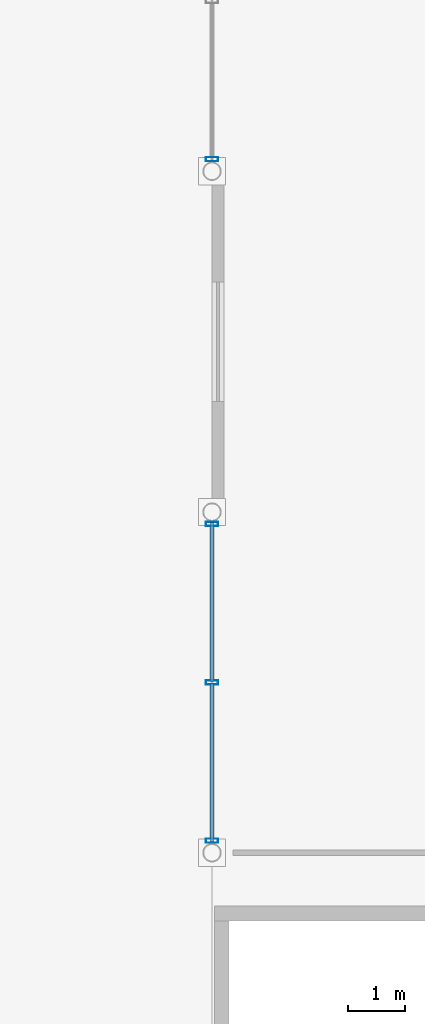
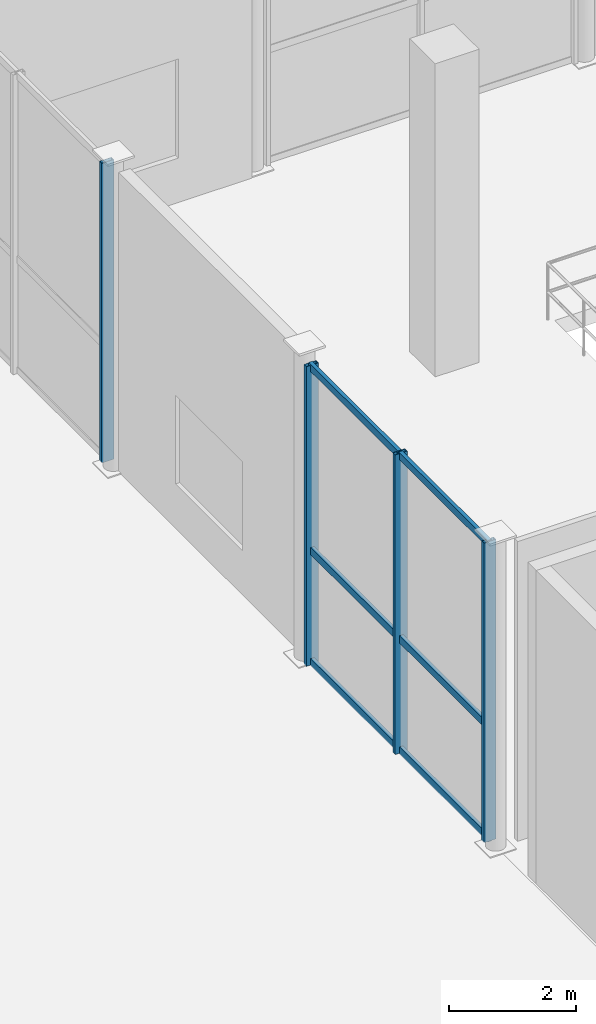
# One storey, part 20 of 106: 10 members, 2 elements without a shape of their own.
"""IFC4 building model written with IfcOpenShell, lengths in metres."""

import ifcopenshell
import ifcopenshell.guid

model = None  # the IFC model being written
_history = None  # IfcOwnerHistory: only IFC2X3 demands one
_inside = {}  # id of a spatial element -> (the spatial element, [elements in it])
_under = {}  # id of a project, library or spatial element -> (it, [spatial elements below it])
_declared = {}  # id of a project -> (the project, [libraries it declares])
_typed = {}  # id of a type object -> (the type object, [elements of that type])
_made_of = {}  # id of a material, layer set ... -> (it, [elements and type objects made of it])


def new_model(schema):
    """Start an empty IFC model of exactly this schema.

    Asked for "IFC4X3", IfcOpenShell would pick the latest addendum, in which some entities
    have other attributes; the version numbers below select the first issue.
    IFC2X3 requires an IfcOwnerHistory on every rooted entity: one is made here for all.
    """
    global model, _history
    if schema == "IFC4X3":
        model = ifcopenshell.file(schema_version=(4, 3, 0, 0))
    else:
        model = ifcopenshell.file(schema=schema)
    _inside.clear()
    _under.clear()
    _declared.clear()
    _typed.clear()
    _made_of.clear()
    _history = None
    if model.schema == "IFC2X3":
        org = make("IfcOrganization", Name="unknown")
        user = make(
            "IfcPersonAndOrganization",
            ThePerson=make("IfcPerson", FamilyName="unknown"),
            TheOrganization=org,
        )
        app = make(
            "IfcApplication",
            ApplicationDeveloper=org,
            Version="unknown",
            ApplicationFullName="unknown",
            ApplicationIdentifier="unknown",
        )
        _history = make(
            "IfcOwnerHistory",
            OwningUser=user,
            OwningApplication=app,
            ChangeAction="ADDED",
            CreationDate=0,
        )
    return model


def make(cls, **values):
    """One entity of the class cls with the attributes given. An attribute that is None is left unset."""
    return model.create_entity(
        cls, **{name: value for name, value in values.items() if value is not None}
    )


def rooted(cls, **values):
    """An entity with a GlobalId (a new one), such as an element, a storey or a relation."""
    return make(cls, GlobalId=ifcopenshell.guid.new(), OwnerHistory=_history, **values)


def si_unit(unit_type, name, prefix=None):
    """IfcSIUnit, for example si_unit("LENGTHUNIT", "METRE", prefix="MILLI")."""
    return make("IfcSIUnit", UnitType=unit_type, Prefix=prefix, Name=name)


def assignment(units):
    """IfcUnitAssignment: the units of a project."""
    return None if units is None else make("IfcUnitAssignment", Units=units)


def point(xyz):
    """IfcCartesianPoint."""
    return None if xyz is None else make("IfcCartesianPoint", Coordinates=xyz)


def direction(xyz):
    """IfcDirection."""
    return None if xyz is None else make("IfcDirection", DirectionRatios=xyz)


def frame(location, z_axis=None, x_axis=None):
    """IfcAxis2Placement3D, a coordinate frame: its origin and axes. An axis left out is left unset."""
    return make(
        "IfcAxis2Placement3D",
        Location=point(location),
        Axis=direction(z_axis),
        RefDirection=direction(x_axis),
    )


def frame_2d(location, x_axis=None):
    """IfcAxis2Placement2D, a coordinate frame in the plane: its origin and x axis."""
    return make(
        "IfcAxis2Placement2D", Location=point(location), RefDirection=direction(x_axis)
    )


def origin():
    """The frame at (0, 0, 0) with its axes left unset."""
    return frame((0.0, 0.0, 0.0))


def origin_2d():
    """The frame at (0, 0) in the plane with its x axis left unset."""
    return frame_2d((0.0, 0.0))


def place(relative_to, where):
    """IfcLocalPlacement: puts the frame where relative to a parent placement (None: the world)."""
    return make(
        "IfcLocalPlacement", PlacementRelTo=relative_to, RelativePlacement=where
    )


def context(
    kind, dimensions, precision=None, world=None, true_north=None, identifier=None
):
    """IfcGeometricRepresentationContext, for example the 3D "Model" context."""
    return make(
        "IfcGeometricRepresentationContext",
        ContextIdentifier=identifier,
        ContextType=kind,
        CoordinateSpaceDimension=dimensions,
        Precision=precision,
        WorldCoordinateSystem=world,
        TrueNorth=true_north,
    )


def subcontext(parent, identifier, kind, view, scale=None):
    """IfcGeometricRepresentationSubContext, for example "Body" below "Model"."""
    return make(
        "IfcGeometricRepresentationSubContext",
        ContextIdentifier=identifier,
        ContextType=kind,
        ParentContext=parent,
        TargetScale=scale,
        TargetView=view,
    )


def project(units=None, contexts=None):
    """IfcProject with its units and contexts."""
    return rooted(
        "IfcProject",
        Name="project",
        RepresentationContexts=contexts,
        UnitsInContext=assignment(units),
    )


def spatial(cls, under=None, at=None, **own):
    """A site, building, storey or space (cls), placed at a placement, below another one or the project."""
    s = rooted(cls, ObjectPlacement=at, **own)
    if under is not None:
        _under.setdefault(under.id(), (under, []))[1].append(s)
    return s


def profile(cls, at=None, kind="AREA", **sizes):
    """A parametric profile (cls). Its sizes go by their IFC names, for example OverallWidth=200.0."""
    return make(cls, ProfileType=kind, Position=at, **sizes)


def hollow_rectangle(**sizes):
    """IfcRectangleHollowProfileDef."""
    return profile("IfcRectangleHollowProfileDef", **sizes)


def extrude(swept, where, along, depth):
    """IfcExtrudedAreaSolid: the profile swept, set in the frame where, extruded along a direction by depth."""
    return make(
        "IfcExtrudedAreaSolid",
        SweptArea=swept,
        Position=where,
        ExtrudedDirection=direction(along),
        Depth=depth,
    )


def shape(context_of_items, identifier, shape_type, items):
    """IfcShapeRepresentation: the items that make up one representation, for example the "Body"."""
    return make(
        "IfcShapeRepresentation",
        ContextOfItems=context_of_items,
        RepresentationIdentifier=identifier,
        RepresentationType=shape_type,
        Items=items,
    )


def material(Name=None, Category=None):
    """IfcMaterial."""
    return make("IfcMaterial", Name=Name, Category=Category)


def material_profile(
    of_material, cross_section, Name=None, Category=None, Priority=None
):
    """IfcMaterialProfile: a cross section and its material."""
    return make(
        "IfcMaterialProfile",
        Name=Name,
        Material=of_material,
        Profile=cross_section,
        Priority=Priority,
        Category=Category,
    )


def profile_set(profiles, Name=None, composite=None):
    """IfcMaterialProfileSet."""
    return make(
        "IfcMaterialProfileSet",
        Name=Name,
        MaterialProfiles=profiles,
        CompositeProfile=composite,
    )


def made_of(thing, what):
    """Note that an element or type object is made of a material, layer set ...; save() writes the relation."""
    if what is not None:
        _made_of.setdefault(what.id(), (what, []))[1].append(thing)
    return thing


def type_object(cls, material=None, **own):
    """A type object (cls), such as IfcWallType, which elements share."""
    return made_of(rooted(cls, **own), material)


def element(
    cls,
    number,
    at=None,
    inside=None,
    cuts=None,
    type_object=None,
    material=None,
    context=None,
    identifier="Body",
    shape_type=None,
    held_by="IfcProductDefinitionShape",
    body=None,
    shapes=None,
    **own,
):
    """One element of the class cls, such as IfcWall. Its Tag is "e" and its number.

    at: its placement. inside: the storey or other place that contains it. cuts: it is an
    opening in that element (IfcRelVoidsElement). A single representation is given by context,
    identifier, shape_type and body (its items); several are given by shapes. held_by: the class
    of the entity that holds the representations. save() writes the other relations.
    """
    e = rooted(cls, Tag="e%d" % number, ObjectPlacement=at, **own)
    if body is not None:
        shapes = [shape(context, identifier, shape_type, body)]
    if shapes is not None:
        e.Representation = make(held_by, Representations=shapes)
    if inside is not None:
        _inside.setdefault(inside.id(), (inside, []))[1].append(e)
    if cuts is not None:
        rooted(
            "IfcRelVoidsElement", RelatingBuildingElement=cuts, RelatedOpeningElement=e
        )
    if type_object is not None:
        _typed.setdefault(type_object.id(), (type_object, []))[1].append(e)
    return made_of(e, material)


def aggregate(whole, parts):
    """IfcRelAggregates: a whole, such as a stair, and the parts it consists of."""
    return rooted("IfcRelAggregates", RelatingObject=whole, RelatedObjects=parts)


def save(model, path):
    """Write the relations noted so far, then the file.

    IfcRelAggregates (storeys below a building ...), IfcRelContainedInSpatialStructure (elements
    in a storey), IfcRelDefinesByType, IfcRelAssociatesMaterial and IfcRelDeclares: one each for
    every whole, place, type object, material and project.
    """
    for whole, parts in _under.values():
        aggregate(whole, parts)
    for where, things in _inside.values():
        rooted(
            "IfcRelContainedInSpatialStructure",
            RelatedElements=things,
            RelatingStructure=where,
        )
    for kind, things in _typed.values():
        rooted("IfcRelDefinesByType", RelatedObjects=things, RelatingType=kind)
    for what, things in _made_of.values():
        rooted("IfcRelAssociatesMaterial", RelatedObjects=things, RelatingMaterial=what)
    for by, libraries in _declared.values():
        rooted("IfcRelDeclares", RelatingContext=by, RelatedDefinitions=libraries)
    model.write(path)


model = new_model("IFC4")

# Units and contexts
model_context = context("Model", 3, precision=1e-05, world=origin(), true_north=direction((0.0, 1.0)))
body_context = subcontext(model_context, "Body", "Model", "MODEL_VIEW")
ifc_project = project(units=[si_unit("LENGTHUNIT", "METRE"), si_unit("AREAUNIT", "SQUARE_METRE"), si_unit("VOLUMEUNIT", "CUBIC_METRE"), si_unit("PLANEANGLEUNIT", "RADIAN"), si_unit("MASSUNIT", "GRAM", prefix="KILO"), si_unit("THERMODYNAMICTEMPERATUREUNIT", "KELVIN"), si_unit("POWERUNIT", "WATT")], contexts=[model_context])

# Site, building, storey
site_placement = place(None, origin())
site = spatial("IfcSite", under=ifc_project, at=site_placement, CompositionType="ELEMENT")
building_placement = place(site_placement, origin())
building = spatial("IfcBuilding", under=site, at=building_placement, Name="Phaisarnlok Congress Hotel", CompositionType="ELEMENT")
storey_placement = place(building_placement, origin())
storey = spatial("IfcBuildingStorey", under=building, at=storey_placement, Name="L00", CompositionType="ELEMENT", Elevation=0.0)

# Curtain wall, member
ifc_material_1 = material(Name="Thermally Broken Unitised Aluminium & Low-E Glazing", Category="aluminium")
curtain_wall_type = type_object("IfcCurtainWallType", Name="CW-UNIT-07", PredefinedType="NOTDEFINED", material=ifc_material_1)
curtain_wall_1_placement = place(storey_placement, origin())
curtain_wall_1 = element("IfcCurtainWall", 1, at=curtain_wall_1_placement, inside=storey, type_object=curtain_wall_type, Name="Unitised curtain wall CW-07 (L00)", PredefinedType="NOTDEFINED")
ifc_material_2 = material(Name="Anodised Aluminium Alloy 6063-T6", Category="aluminium")
ifc_material_profile_1 = material_profile(ifc_material_2, hollow_rectangle(XDim=0.074951171875, YDim=0.219970703125, WallThickness=0.0048828125, at=origin_2d()), Name="ALU-M 75x220x5")
ifc_profile_set_1 = profile_set([ifc_material_profile_1], Name="Anodised Aluminium Alloy 6063-T6")
member_type_1 = type_object("IfcMemberType", Name="CWM-220", PredefinedType="MULLION", material=ifc_profile_set_1)
member_1_placement = place(storey_placement, frame((24.0, 30.2119140625, 0.0), z_axis=(0.0, 0.0, 1.0), x_axis=(0.0, -1.0, 0.0)))
member_1 = element("IfcMember", 2, at=member_1_placement, type_object=member_type_1, Name="Curtain wall mullion CWM-02", PredefinedType="MULLION", context=body_context, shape_type="SweptSolid", body=[
    extrude(hollow_rectangle(XDim=0.074951171875, YDim=0.219970703125, WallThickness=0.0048828125, at=origin_2d()), origin(), (0.0, 0.0, 1.0), 5.739990234375),
])
aggregate(curtain_wall_1, [member_1])

# Curtain wall, members
curtain_wall_2_placement = place(storey_placement, origin())
curtain_wall_2 = element("IfcCurtainWall", 3, at=curtain_wall_2_placement, inside=storey, type_object=curtain_wall_type, Name="Unitised curtain wall CW-07 (L00)", PredefinedType="NOTDEFINED")
member_2_placement = place(storey_placement, frame((24.0, 23.7880859375, 0.0), z_axis=(0.0, 0.0, 1.0), x_axis=(0.0, -1.0, 0.0)))
member_2 = element("IfcMember", 4, at=member_2_placement, type_object=member_type_1, Name="Curtain wall mullion CWM-02", PredefinedType="MULLION", context=body_context, shape_type="SweptSolid", body=[
    extrude(hollow_rectangle(XDim=0.074951171875, YDim=0.219970703125, WallThickness=0.0048828125, at=origin_2d()), origin(), (0.0, 0.0, 1.0), 5.739990234375),
])
member_3_placement = place(storey_placement, frame((24.0, 21.0, 0.0), z_axis=(0.0, 0.0, 1.0), x_axis=(0.0, -1.0, 0.0)))
member_3 = element("IfcMember", 5, at=member_3_placement, type_object=member_type_1, Name="Curtain wall mullion CWM-02", PredefinedType="MULLION", context=body_context, shape_type="SweptSolid", body=[
    extrude(hollow_rectangle(XDim=0.074951171875, YDim=0.219970703125, WallThickness=0.0048828125, at=origin_2d()), origin(), (0.0, 0.0, 1.0), 5.739990234375),
])
member_4_placement = place(storey_placement, frame((24.0, 18.2119140625, 0.0), z_axis=(0.0, 0.0, 1.0), x_axis=(0.0, -1.0, 0.0)))
member_4 = element("IfcMember", 6, at=member_4_placement, type_object=member_type_1, Name="Curtain wall mullion CWM-02", PredefinedType="MULLION", context=body_context, shape_type="SweptSolid", body=[
    extrude(hollow_rectangle(XDim=0.074951171875, YDim=0.219970703125, WallThickness=0.0048828125, at=origin_2d()), origin(), (0.0, 0.0, 1.0), 5.739990234375),
])
ifc_material_profile_2 = material_profile(ifc_material_2, hollow_rectangle(XDim=0.06494140625, YDim=0.139892578125, WallThickness=0.00390625, at=origin_2d()), Name="ALU-T 65x140x4")
ifc_profile_set_2 = profile_set([ifc_material_profile_2], Name="Anodised Aluminium Alloy 6063-T6")
member_type_2 = type_object("IfcMemberType", Name="CWT-150", PredefinedType="USERDEFINED", material=ifc_profile_set_2)
member_5_placement = place(storey_placement, frame((24.0, 23.81298828125, 0.050048828125), z_axis=(0.0, -1.0, 0.0), x_axis=(1.0, 0.0, 0.0)))
member_5 = element("IfcMember", 7, at=member_5_placement, type_object=member_type_2, Name="Curtain wall transom CWT-01", ObjectType="TRANSOM", PredefinedType="USERDEFINED", context=body_context, shape_type="SweptSolid", body=[
    extrude(hollow_rectangle(XDim=0.06494140625, YDim=0.139892578125, WallThickness=0.00390625, at=origin_2d()), origin(), (0.0, 0.0, 1.0), 2.798095703125),
])
member_6_placement = place(storey_placement, frame((24.0, 23.81298828125, 2.18115234375), z_axis=(0.0, -1.0, 0.0), x_axis=(1.0, 0.0, 0.0)))
member_6 = element("IfcMember", 8, at=member_6_placement, type_object=member_type_2, Name="Curtain wall transom CWT-01", ObjectType="TRANSOM", PredefinedType="USERDEFINED", context=body_context, shape_type="SweptSolid", body=[
    extrude(hollow_rectangle(XDim=0.06494140625, YDim=0.139892578125, WallThickness=0.00390625, at=origin_2d()), origin(), (0.0, 0.0, 1.0), 2.798095703125),
])
member_7_placement = place(storey_placement, frame((24.0, 23.81298828125, 5.68994140625), z_axis=(0.0, -1.0, 0.0), x_axis=(1.0, 0.0, 0.0)))
member_7 = element("IfcMember", 9, at=member_7_placement, type_object=member_type_2, Name="Curtain wall transom CWT-01", ObjectType="TRANSOM", PredefinedType="USERDEFINED", context=body_context, shape_type="SweptSolid", body=[
    extrude(hollow_rectangle(XDim=0.06494140625, YDim=0.139892578125, WallThickness=0.00390625, at=origin_2d()), origin(), (0.0, 0.0, 1.0), 2.798095703125),
])
member_8_placement = place(storey_placement, frame((24.0, 20.985107421875, 0.050048828125), z_axis=(0.0, -1.0, 0.0), x_axis=(1.0, 0.0, 0.0)))
member_8 = element("IfcMember", 10, at=member_8_placement, type_object=member_type_2, Name="Curtain wall transom CWT-01", ObjectType="TRANSOM", PredefinedType="USERDEFINED", context=body_context, shape_type="SweptSolid", body=[
    extrude(hollow_rectangle(XDim=0.06494140625, YDim=0.139892578125, WallThickness=0.00390625, at=origin_2d()), origin(), (0.0, 0.0, 1.0), 2.798095703125),
])
member_9_placement = place(storey_placement, frame((24.0, 20.985107421875, 2.18115234375), z_axis=(0.0, -1.0, 0.0), x_axis=(1.0, 0.0, 0.0)))
member_9 = element("IfcMember", 11, at=member_9_placement, type_object=member_type_2, Name="Curtain wall transom CWT-01", ObjectType="TRANSOM", PredefinedType="USERDEFINED", context=body_context, shape_type="SweptSolid", body=[
    extrude(hollow_rectangle(XDim=0.06494140625, YDim=0.139892578125, WallThickness=0.00390625, at=origin_2d()), origin(), (0.0, 0.0, 1.0), 2.798095703125),
])
member_10_placement = place(storey_placement, frame((24.0, 20.985107421875, 5.68994140625), z_axis=(0.0, -1.0, 0.0), x_axis=(1.0, 0.0, 0.0)))
member_10 = element("IfcMember", 12, at=member_10_placement, type_object=member_type_2, Name="Curtain wall transom CWT-01", ObjectType="TRANSOM", PredefinedType="USERDEFINED", context=body_context, shape_type="SweptSolid", body=[
    extrude(hollow_rectangle(XDim=0.06494140625, YDim=0.139892578125, WallThickness=0.00390625, at=origin_2d()), origin(), (0.0, 0.0, 1.0), 2.798095703125),
])
aggregate(curtain_wall_2, [member_2, member_3, member_4, member_5, member_6, member_7, member_8, member_9, member_10])

save(model, "model.ifc")
